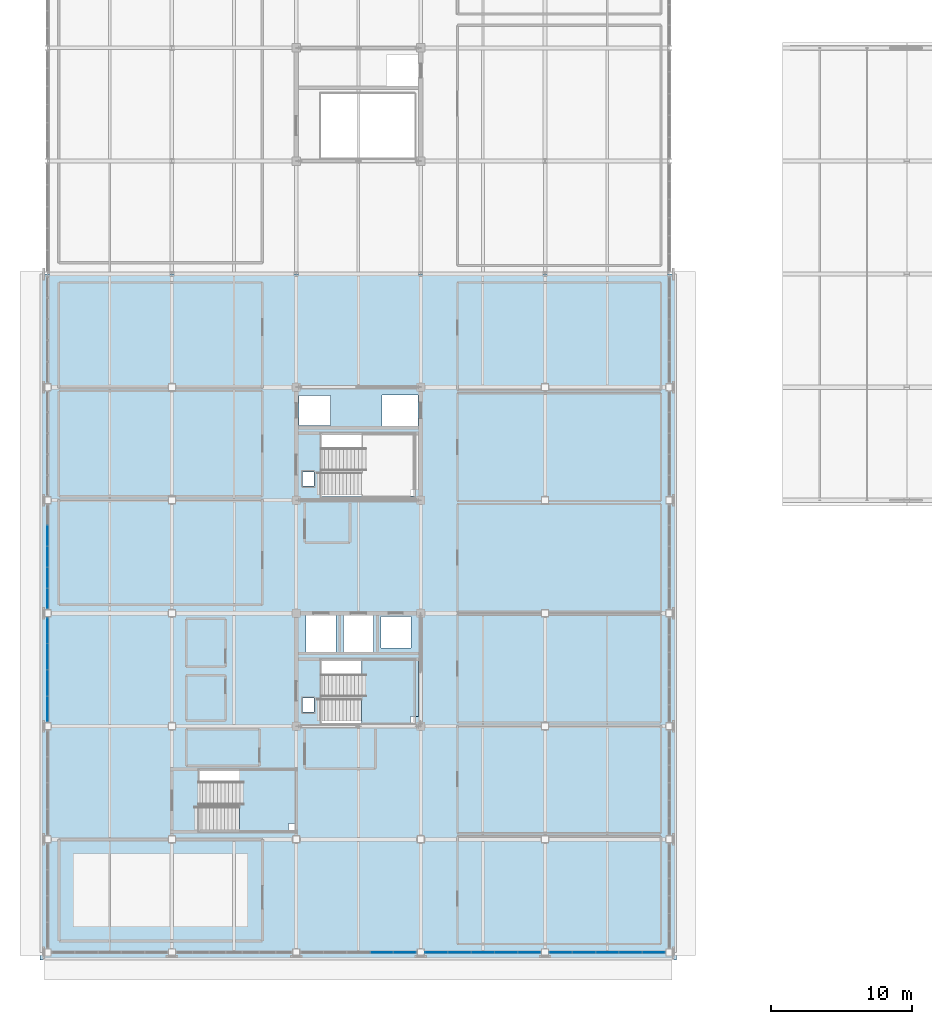
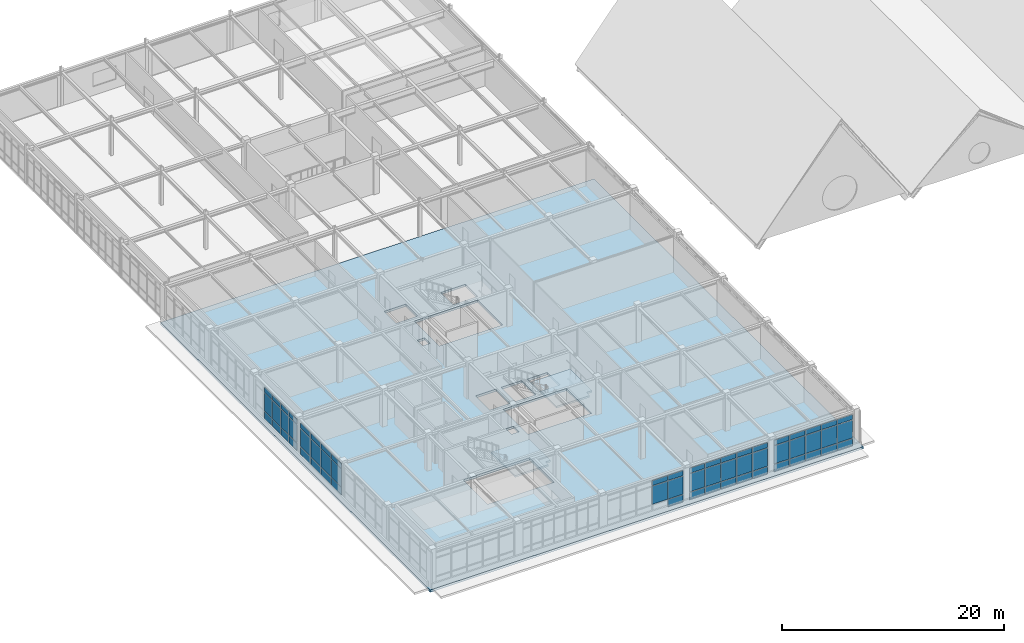
# One storey, part 27 of 64: 59 plates, 3 slabs, 7 elements without a shape of their own.
"""IFC4 building model written with IfcOpenShell, lengths in metres."""

from ifc_helpers import new_model, si_unit, direction, frame, origin, origin_2d, place, context, subcontext, project, spatial, polyline, rectangle, outline, extrude, material, layer, layer_set, type_object, element, aggregate, save


model = new_model("IFC4")

# Units and contexts
model_context = context("Model", 3, precision=1e-05, world=origin(), true_north=direction((0.0, 1.0)))
body_context = subcontext(model_context, "Body", "Model", "MODEL_VIEW")
ifc_project = project(units=[si_unit("LENGTHUNIT", "METRE"), si_unit("AREAUNIT", "SQUARE_METRE"), si_unit("VOLUMEUNIT", "CUBIC_METRE"), si_unit("PLANEANGLEUNIT", "RADIAN"), si_unit("MASSUNIT", "GRAM", prefix="KILO")], contexts=[model_context])

# Site, building, storey
site_placement = place(None, origin())
site = spatial("IfcSite", under=ifc_project, at=site_placement, CompositionType="ELEMENT")
building_placement = place(site_placement, origin())
building = spatial("IfcBuilding", under=site, at=building_placement, Name="Zhaolan Boulevard Law Courts", CompositionType="ELEMENT")
storey_placement = place(building_placement, frame((0.0, 0.0, 20.39990234375)))
storey = spatial("IfcBuildingStorey", under=building, at=storey_placement, Name="L04", CompositionType="ELEMENT", Elevation=20.39990234375)

# Curtain wall, plates
ifc_material_1 = material(Name="Thermally broken aluminium and low-E glazing", Category="aluminium")
curtain_wall_type_1 = type_object("IfcCurtainWallType", Name="CURTAIN WALL M19", PredefinedType="USERDEFINED", material=ifc_material_1)
curtain_wall_1_placement = place(storey_placement, origin())
curtain_wall_1 = element("IfcCurtainWall", 1, at=curtain_wall_1_placement, inside=storey, type_object=curtain_wall_type_1, Name="Curtain Wall CW-L04-187", ObjectType="CURTAIN WALL", PredefinedType="USERDEFINED")
ifc_material_2 = material(Name="Triple-silver low-E insulated glazing", Category="glass")
ifc_layer_1 = layer(ifc_material_2, 0.028076171875)
ifc_layer_set_1 = layer_set([ifc_layer_1])
plate_type = type_object("IfcPlateType", Name="CWPANEL LOW E28", PredefinedType="CURTAIN_PANEL", material=ifc_layer_set_1)
plate_1_placement = place(storey_placement, frame((23.649169921875, 30.0, 0.9326171875), z_axis=(0.0, 0.0, 1.0), x_axis=(1.0, 0.0, 0.0)))
plate_1 = element("IfcPlate", 2, at=plate_1_placement, type_object=plate_type, Name="CW-L04-187 panel 4.2", PredefinedType="CURTAIN_PANEL", context=body_context, shape_type="SweptSolid", body=[
    extrude(rectangle(XDim=1.584228515625, YDim=0.028076171875, at=origin_2d()), origin(), (0.0, 0.0, 1.0), 1.97802734375),
])
plate_2_placement = place(storey_placement, frame((23.649169921875, 30.0, 2.9755859375), z_axis=(0.0, 0.0, 1.0), x_axis=(1.0, 0.0, 0.0)))
plate_2 = element("IfcPlate", 3, at=plate_2_placement, type_object=plate_type, Name="CW-L04-187 panel 4.3", PredefinedType="CURTAIN_PANEL", context=body_context, shape_type="SweptSolid", body=[
    extrude(rectangle(XDim=1.584228515625, YDim=0.028076171875, at=origin_2d()), origin(), (0.0, 0.0, 1.0), 0.552490234375),
])
plate_3_placement = place(storey_placement, frame((25.2822265625, 30.0, 0.06494140625), z_axis=(0.0, 0.0, 1.0), x_axis=(1.0, 0.0, 0.0)))
plate_3 = element("IfcPlate", 4, at=plate_3_placement, type_object=plate_type, Name="CW-L04-187 panel 5.1", PredefinedType="CURTAIN_PANEL", context=body_context, shape_type="SweptSolid", body=[
    extrude(rectangle(XDim=1.5517578125, YDim=0.028076171875, at=origin_2d()), origin(), (0.0, 0.0, 1.0), 0.802490234375),
])
plate_4_placement = place(storey_placement, frame((25.2822265625, 30.0, 0.9326171875), z_axis=(0.0, 0.0, 1.0), x_axis=(1.0, 0.0, 0.0)))
plate_4 = element("IfcPlate", 5, at=plate_4_placement, type_object=plate_type, Name="CW-L04-187 panel 5.2", PredefinedType="CURTAIN_PANEL", context=body_context, shape_type="SweptSolid", body=[
    extrude(rectangle(XDim=1.5517578125, YDim=0.028076171875, at=origin_2d()), origin(), (0.0, 0.0, 1.0), 1.97802734375),
])
plate_5_placement = place(storey_placement, frame((25.2822265625, 30.0, 2.9755859375), z_axis=(0.0, 0.0, 1.0), x_axis=(1.0, 0.0, 0.0)))
plate_5 = element("IfcPlate", 6, at=plate_5_placement, type_object=plate_type, Name="CW-L04-187 panel 5.3", PredefinedType="CURTAIN_PANEL", context=body_context, shape_type="SweptSolid", body=[
    extrude(rectangle(XDim=1.5517578125, YDim=0.028076171875, at=origin_2d()), origin(), (0.0, 0.0, 1.0), 0.552490234375),
])
aggregate(curtain_wall_1, [plate_1, plate_2, plate_3, plate_4, plate_5])

ifc_material_3 = material(Name="Thermally broken aluminium and low-E glazing", Category="aluminium")
curtain_wall_type_2 = type_object("IfcCurtainWallType", Name="CURTAIN WALL M20", PredefinedType="USERDEFINED", material=ifc_material_3)
curtain_wall_2_placement = place(storey_placement, origin())
curtain_wall_2 = element("IfcCurtainWall", 7, at=curtain_wall_2_placement, inside=storey, type_object=curtain_wall_type_2, Name="Curtain Wall CW-L04-188", ObjectType="CURTAIN WALL", PredefinedType="USERDEFINED")
plate_6_placement = place(storey_placement, frame((27.517822265625, 30.0, 0.06494140625), z_axis=(0.0, 0.0, 1.0), x_axis=(1.0, 0.0, 0.0)))
plate_6 = element("IfcPlate", 8, at=plate_6_placement, type_object=plate_type, Name="CW-L04-188 panel 1.1", PredefinedType="CURTAIN_PANEL", context=body_context, shape_type="SweptSolid", body=[
    extrude(rectangle(XDim=1.5517578125, YDim=0.028076171875, at=origin_2d()), origin(), (0.0, 0.0, 1.0), 0.802490234375),
])
plate_7_placement = place(storey_placement, frame((27.517822265625, 30.0, 0.9326171875), z_axis=(0.0, 0.0, 1.0), x_axis=(1.0, 0.0, 0.0)))
plate_7 = element("IfcPlate", 9, at=plate_7_placement, type_object=plate_type, Name="CW-L04-188 panel 1.2", PredefinedType="CURTAIN_PANEL", context=body_context, shape_type="SweptSolid", body=[
    extrude(rectangle(XDim=1.5517578125, YDim=0.028076171875, at=origin_2d()), origin(), (0.0, 0.0, 1.0), 1.97802734375),
])
plate_8_placement = place(storey_placement, frame((27.517822265625, 30.0, 2.9755859375), z_axis=(0.0, 0.0, 1.0), x_axis=(1.0, 0.0, 0.0)))
plate_8 = element("IfcPlate", 10, at=plate_8_placement, type_object=plate_type, Name="CW-L04-188 panel 1.3", PredefinedType="CURTAIN_PANEL", context=body_context, shape_type="SweptSolid", body=[
    extrude(rectangle(XDim=1.5517578125, YDim=0.028076171875, at=origin_2d()), origin(), (0.0, 0.0, 1.0), 0.552490234375),
])
plate_9_placement = place(storey_placement, frame((29.15087890625, 30.0, 0.06494140625), z_axis=(0.0, 0.0, 1.0), x_axis=(1.0, 0.0, 0.0)))
plate_9 = element("IfcPlate", 11, at=plate_9_placement, type_object=plate_type, Name="CW-L04-188 panel 2.1", PredefinedType="CURTAIN_PANEL", context=body_context, shape_type="SweptSolid", body=[
    extrude(rectangle(XDim=1.584228515625, YDim=0.028076171875, at=origin_2d()), origin(), (0.0, 0.0, 1.0), 0.802490234375),
])
plate_10_placement = place(storey_placement, frame((29.15087890625, 30.0, 0.9326171875), z_axis=(0.0, 0.0, 1.0), x_axis=(1.0, 0.0, 0.0)))
plate_10 = element("IfcPlate", 12, at=plate_10_placement, type_object=plate_type, Name="CW-L04-188 panel 2.2", PredefinedType="CURTAIN_PANEL", context=body_context, shape_type="SweptSolid", body=[
    extrude(rectangle(XDim=1.584228515625, YDim=0.028076171875, at=origin_2d()), origin(), (0.0, 0.0, 1.0), 1.97802734375),
])
plate_11_placement = place(storey_placement, frame((29.15087890625, 30.0, 2.9755859375), z_axis=(0.0, 0.0, 1.0), x_axis=(1.0, 0.0, 0.0)))
plate_11 = element("IfcPlate", 13, at=plate_11_placement, type_object=plate_type, Name="CW-L04-188 panel 2.3", PredefinedType="CURTAIN_PANEL", context=body_context, shape_type="SweptSolid", body=[
    extrude(rectangle(XDim=1.584228515625, YDim=0.028076171875, at=origin_2d()), origin(), (0.0, 0.0, 1.0), 0.552490234375),
])
plate_12_placement = place(storey_placement, frame((30.800048828125, 30.0, 0.06494140625), z_axis=(0.0, 0.0, 1.0), x_axis=(1.0, 0.0, 0.0)))
plate_12 = element("IfcPlate", 14, at=plate_12_placement, type_object=plate_type, Name="CW-L04-188 panel 3.1", PredefinedType="CURTAIN_PANEL", context=body_context, shape_type="SweptSolid", body=[
    extrude(rectangle(XDim=1.584228515625, YDim=0.028076171875, at=origin_2d()), origin(), (0.0, 0.0, 1.0), 0.802490234375),
])
plate_13_placement = place(storey_placement, frame((30.800048828125, 30.0, 0.9326171875), z_axis=(0.0, 0.0, 1.0), x_axis=(1.0, 0.0, 0.0)))
plate_13 = element("IfcPlate", 15, at=plate_13_placement, type_object=plate_type, Name="CW-L04-188 panel 3.2", PredefinedType="CURTAIN_PANEL", context=body_context, shape_type="SweptSolid", body=[
    extrude(rectangle(XDim=1.584228515625, YDim=0.028076171875, at=origin_2d()), origin(), (0.0, 0.0, 1.0), 1.97802734375),
])
plate_14_placement = place(storey_placement, frame((30.800048828125, 30.0, 2.9755859375), z_axis=(0.0, 0.0, 1.0), x_axis=(1.0, 0.0, 0.0)))
plate_14 = element("IfcPlate", 16, at=plate_14_placement, type_object=plate_type, Name="CW-L04-188 panel 3.3", PredefinedType="CURTAIN_PANEL", context=body_context, shape_type="SweptSolid", body=[
    extrude(rectangle(XDim=1.584228515625, YDim=0.028076171875, at=origin_2d()), origin(), (0.0, 0.0, 1.0), 0.552490234375),
])
plate_15_placement = place(storey_placement, frame((32.44921875, 30.0, 0.06494140625), z_axis=(0.0, 0.0, 1.0), x_axis=(1.0, 0.0, 0.0)))
plate_15 = element("IfcPlate", 17, at=plate_15_placement, type_object=plate_type, Name="CW-L04-188 panel 4.1", PredefinedType="CURTAIN_PANEL", context=body_context, shape_type="SweptSolid", body=[
    extrude(rectangle(XDim=1.584228515625, YDim=0.028076171875, at=origin_2d()), origin(), (0.0, 0.0, 1.0), 0.802490234375),
])
plate_16_placement = place(storey_placement, frame((32.44921875, 30.0, 0.9326171875), z_axis=(0.0, 0.0, 1.0), x_axis=(1.0, 0.0, 0.0)))
plate_16 = element("IfcPlate", 18, at=plate_16_placement, type_object=plate_type, Name="CW-L04-188 panel 4.2", PredefinedType="CURTAIN_PANEL", context=body_context, shape_type="SweptSolid", body=[
    extrude(rectangle(XDim=1.584228515625, YDim=0.028076171875, at=origin_2d()), origin(), (0.0, 0.0, 1.0), 1.97802734375),
])
plate_17_placement = place(storey_placement, frame((32.44921875, 30.0, 2.9755859375), z_axis=(0.0, 0.0, 1.0), x_axis=(1.0, 0.0, 0.0)))
plate_17 = element("IfcPlate", 19, at=plate_17_placement, type_object=plate_type, Name="CW-L04-188 panel 4.3", PredefinedType="CURTAIN_PANEL", context=body_context, shape_type="SweptSolid", body=[
    extrude(rectangle(XDim=1.584228515625, YDim=0.028076171875, at=origin_2d()), origin(), (0.0, 0.0, 1.0), 0.552490234375),
])
plate_18_placement = place(storey_placement, frame((34.08203125, 30.0, 0.06494140625), z_axis=(0.0, 0.0, 1.0), x_axis=(1.0, 0.0, 0.0)))
plate_18 = element("IfcPlate", 20, at=plate_18_placement, type_object=plate_type, Name="CW-L04-188 panel 5.1", PredefinedType="CURTAIN_PANEL", context=body_context, shape_type="SweptSolid", body=[
    extrude(rectangle(XDim=1.5517578125, YDim=0.028076171875, at=origin_2d()), origin(), (0.0, 0.0, 1.0), 0.802490234375),
])
plate_19_placement = place(storey_placement, frame((34.08203125, 30.0, 0.9326171875), z_axis=(0.0, 0.0, 1.0), x_axis=(1.0, 0.0, 0.0)))
plate_19 = element("IfcPlate", 21, at=plate_19_placement, type_object=plate_type, Name="CW-L04-188 panel 5.2", PredefinedType="CURTAIN_PANEL", context=body_context, shape_type="SweptSolid", body=[
    extrude(rectangle(XDim=1.5517578125, YDim=0.028076171875, at=origin_2d()), origin(), (0.0, 0.0, 1.0), 1.97802734375),
])
plate_20_placement = place(storey_placement, frame((34.08203125, 30.0, 2.9755859375), z_axis=(0.0, 0.0, 1.0), x_axis=(1.0, 0.0, 0.0)))
plate_20 = element("IfcPlate", 22, at=plate_20_placement, type_object=plate_type, Name="CW-L04-188 panel 5.3", PredefinedType="CURTAIN_PANEL", context=body_context, shape_type="SweptSolid", body=[
    extrude(rectangle(XDim=1.5517578125, YDim=0.028076171875, at=origin_2d()), origin(), (0.0, 0.0, 1.0), 0.552490234375),
])
aggregate(curtain_wall_2, [plate_6, plate_7, plate_8, plate_9, plate_10, plate_11, plate_12, plate_13, plate_14, plate_15, plate_16, plate_17, plate_18, plate_19, plate_20])

ifc_material_4 = material(Name="Thermally broken aluminium and low-E glazing", Category="aluminium")
curtain_wall_type_3 = type_object("IfcCurtainWallType", Name="CURTAIN WALL M21", PredefinedType="USERDEFINED", material=ifc_material_4)
curtain_wall_3_placement = place(storey_placement, origin())
curtain_wall_3 = element("IfcCurtainWall", 23, at=curtain_wall_3_placement, inside=storey, type_object=curtain_wall_type_3, Name="Curtain Wall CW-L04-189", ObjectType="CURTAIN WALL", PredefinedType="USERDEFINED")
plate_21_placement = place(storey_placement, frame((36.31787109375, 30.0, 0.06494140625), z_axis=(0.0, 0.0, 1.0), x_axis=(1.0, 0.0, 0.0)))
plate_21 = element("IfcPlate", 24, at=plate_21_placement, type_object=plate_type, Name="CW-L04-189 panel 1.1", PredefinedType="CURTAIN_PANEL", context=body_context, shape_type="SweptSolid", body=[
    extrude(rectangle(XDim=1.5517578125, YDim=0.028076171875, at=origin_2d()), origin(), (0.0, 0.0, 1.0), 0.802490234375),
])
plate_22_placement = place(storey_placement, frame((36.31787109375, 30.0, 0.9326171875), z_axis=(0.0, 0.0, 1.0), x_axis=(1.0, 0.0, 0.0)))
plate_22 = element("IfcPlate", 25, at=plate_22_placement, type_object=plate_type, Name="CW-L04-189 panel 1.2", PredefinedType="CURTAIN_PANEL", context=body_context, shape_type="SweptSolid", body=[
    extrude(rectangle(XDim=1.5517578125, YDim=0.028076171875, at=origin_2d()), origin(), (0.0, 0.0, 1.0), 1.97802734375),
])
plate_23_placement = place(storey_placement, frame((36.31787109375, 30.0, 2.9755859375), z_axis=(0.0, 0.0, 1.0), x_axis=(1.0, 0.0, 0.0)))
plate_23 = element("IfcPlate", 26, at=plate_23_placement, type_object=plate_type, Name="CW-L04-189 panel 1.3", PredefinedType="CURTAIN_PANEL", context=body_context, shape_type="SweptSolid", body=[
    extrude(rectangle(XDim=1.5517578125, YDim=0.028076171875, at=origin_2d()), origin(), (0.0, 0.0, 1.0), 0.552490234375),
])
plate_24_placement = place(storey_placement, frame((37.95068359375, 30.0, 0.06494140625), z_axis=(0.0, 0.0, 1.0), x_axis=(1.0, 0.0, 0.0)))
plate_24 = element("IfcPlate", 27, at=plate_24_placement, type_object=plate_type, Name="CW-L04-189 panel 2.1", PredefinedType="CURTAIN_PANEL", context=body_context, shape_type="SweptSolid", body=[
    extrude(rectangle(XDim=1.584228515625, YDim=0.028076171875, at=origin_2d()), origin(), (0.0, 0.0, 1.0), 0.802490234375),
])
plate_25_placement = place(storey_placement, frame((37.95068359375, 30.0, 0.9326171875), z_axis=(0.0, 0.0, 1.0), x_axis=(1.0, 0.0, 0.0)))
plate_25 = element("IfcPlate", 28, at=plate_25_placement, type_object=plate_type, Name="CW-L04-189 panel 2.2", PredefinedType="CURTAIN_PANEL", context=body_context, shape_type="SweptSolid", body=[
    extrude(rectangle(XDim=1.584228515625, YDim=0.028076171875, at=origin_2d()), origin(), (0.0, 0.0, 1.0), 1.97802734375),
])
plate_26_placement = place(storey_placement, frame((37.95068359375, 30.0, 2.9755859375), z_axis=(0.0, 0.0, 1.0), x_axis=(1.0, 0.0, 0.0)))
plate_26 = element("IfcPlate", 29, at=plate_26_placement, type_object=plate_type, Name="CW-L04-189 panel 2.3", PredefinedType="CURTAIN_PANEL", context=body_context, shape_type="SweptSolid", body=[
    extrude(rectangle(XDim=1.584228515625, YDim=0.028076171875, at=origin_2d()), origin(), (0.0, 0.0, 1.0), 0.552490234375),
])
plate_27_placement = place(storey_placement, frame((39.60009765625, 30.0, 0.06494140625), z_axis=(0.0, 0.0, 1.0), x_axis=(1.0, 0.0, 0.0)))
plate_27 = element("IfcPlate", 30, at=plate_27_placement, type_object=plate_type, Name="CW-L04-189 panel 3.1", PredefinedType="CURTAIN_PANEL", context=body_context, shape_type="SweptSolid", body=[
    extrude(rectangle(XDim=1.584228515625, YDim=0.028076171875, at=origin_2d()), origin(), (0.0, 0.0, 1.0), 0.802490234375),
])
plate_28_placement = place(storey_placement, frame((39.60009765625, 30.0, 0.9326171875), z_axis=(0.0, 0.0, 1.0), x_axis=(1.0, 0.0, 0.0)))
plate_28 = element("IfcPlate", 31, at=plate_28_placement, type_object=plate_type, Name="CW-L04-189 panel 3.2", PredefinedType="CURTAIN_PANEL", context=body_context, shape_type="SweptSolid", body=[
    extrude(rectangle(XDim=1.584228515625, YDim=0.028076171875, at=origin_2d()), origin(), (0.0, 0.0, 1.0), 1.97802734375),
])
plate_29_placement = place(storey_placement, frame((39.60009765625, 30.0, 2.9755859375), z_axis=(0.0, 0.0, 1.0), x_axis=(1.0, 0.0, 0.0)))
plate_29 = element("IfcPlate", 32, at=plate_29_placement, type_object=plate_type, Name="CW-L04-189 panel 3.3", PredefinedType="CURTAIN_PANEL", context=body_context, shape_type="SweptSolid", body=[
    extrude(rectangle(XDim=1.584228515625, YDim=0.028076171875, at=origin_2d()), origin(), (0.0, 0.0, 1.0), 0.552490234375),
])
plate_30_placement = place(storey_placement, frame((41.249267578125, 30.0, 0.06494140625), z_axis=(0.0, 0.0, 1.0), x_axis=(1.0, 0.0, 0.0)))
plate_30 = element("IfcPlate", 33, at=plate_30_placement, type_object=plate_type, Name="CW-L04-189 panel 4.1", PredefinedType="CURTAIN_PANEL", context=body_context, shape_type="SweptSolid", body=[
    extrude(rectangle(XDim=1.584228515625, YDim=0.028076171875, at=origin_2d()), origin(), (0.0, 0.0, 1.0), 0.802490234375),
])
plate_31_placement = place(storey_placement, frame((41.249267578125, 30.0, 0.9326171875), z_axis=(0.0, 0.0, 1.0), x_axis=(1.0, 0.0, 0.0)))
plate_31 = element("IfcPlate", 34, at=plate_31_placement, type_object=plate_type, Name="CW-L04-189 panel 4.2", PredefinedType="CURTAIN_PANEL", context=body_context, shape_type="SweptSolid", body=[
    extrude(rectangle(XDim=1.584228515625, YDim=0.028076171875, at=origin_2d()), origin(), (0.0, 0.0, 1.0), 1.97802734375),
])
plate_32_placement = place(storey_placement, frame((41.249267578125, 30.0, 2.9755859375), z_axis=(0.0, 0.0, 1.0), x_axis=(1.0, 0.0, 0.0)))
plate_32 = element("IfcPlate", 35, at=plate_32_placement, type_object=plate_type, Name="CW-L04-189 panel 4.3", PredefinedType="CURTAIN_PANEL", context=body_context, shape_type="SweptSolid", body=[
    extrude(rectangle(XDim=1.584228515625, YDim=0.028076171875, at=origin_2d()), origin(), (0.0, 0.0, 1.0), 0.552490234375),
])
plate_33_placement = place(storey_placement, frame((42.882080078125, 30.0, 0.06494140625), z_axis=(0.0, 0.0, 1.0), x_axis=(1.0, 0.0, 0.0)))
plate_33 = element("IfcPlate", 36, at=plate_33_placement, type_object=plate_type, Name="CW-L04-189 panel 5.1", PredefinedType="CURTAIN_PANEL", context=body_context, shape_type="SweptSolid", body=[
    extrude(rectangle(XDim=1.5517578125, YDim=0.028076171875, at=origin_2d()), origin(), (0.0, 0.0, 1.0), 0.802490234375),
])
plate_34_placement = place(storey_placement, frame((42.882080078125, 30.0, 0.9326171875), z_axis=(0.0, 0.0, 1.0), x_axis=(1.0, 0.0, 0.0)))
plate_34 = element("IfcPlate", 37, at=plate_34_placement, type_object=plate_type, Name="CW-L04-189 panel 5.2", PredefinedType="CURTAIN_PANEL", context=body_context, shape_type="SweptSolid", body=[
    extrude(rectangle(XDim=1.5517578125, YDim=0.028076171875, at=origin_2d()), origin(), (0.0, 0.0, 1.0), 1.97802734375),
])
plate_35_placement = place(storey_placement, frame((42.882080078125, 30.0, 2.9755859375), z_axis=(0.0, 0.0, 1.0), x_axis=(1.0, 0.0, 0.0)))
plate_35 = element("IfcPlate", 38, at=plate_35_placement, type_object=plate_type, Name="CW-L04-189 panel 5.3", PredefinedType="CURTAIN_PANEL", context=body_context, shape_type="SweptSolid", body=[
    extrude(rectangle(XDim=1.5517578125, YDim=0.028076171875, at=origin_2d()), origin(), (0.0, 0.0, 1.0), 0.552490234375),
])
aggregate(curtain_wall_3, [plate_21, plate_22, plate_23, plate_24, plate_25, plate_26, plate_27, plate_28, plate_29, plate_30, plate_31, plate_32, plate_33, plate_34, plate_35])

ifc_material_5 = material(Name="Thermally broken aluminium and low-E glazing", Category="aluminium")
curtain_wall_type_4 = type_object("IfcCurtainWallType", Name="CURTAIN WALL M24", PredefinedType="USERDEFINED", material=ifc_material_5)
curtain_wall_4_placement = place(storey_placement, origin())
curtain_wall_4 = element("IfcCurtainWall", 39, at=curtain_wall_4_placement, inside=storey, type_object=curtain_wall_type_4, Name="Curtain Wall CW-L04-192", ObjectType="CURTAIN WALL", PredefinedType="USERDEFINED")
plate_36_placement = place(storey_placement, frame((0.0, 52.77587890625, 0.06494140625), z_axis=(0.0, 0.0, 1.0), x_axis=(0.0, -1.0, 0.0)))
plate_36 = element("IfcPlate", 40, at=plate_36_placement, type_object=plate_type, Name="CW-L04-192 panel 1.1", PredefinedType="CURTAIN_PANEL", context=body_context, shape_type="SweptSolid", body=[
    extrude(rectangle(XDim=1.763916015625, YDim=0.028076171875, at=origin_2d()), origin(), (0.0, 0.0, 1.0), 0.802490234375),
])
plate_37_placement = place(storey_placement, frame((0.0, 52.77587890625, 0.9326171875), z_axis=(0.0, 0.0, 1.0), x_axis=(0.0, -1.0, 0.0)))
plate_37 = element("IfcPlate", 41, at=plate_37_placement, type_object=plate_type, Name="CW-L04-192 panel 1.2", PredefinedType="CURTAIN_PANEL", context=body_context, shape_type="SweptSolid", body=[
    extrude(rectangle(XDim=1.763916015625, YDim=0.028076171875, at=origin_2d()), origin(), (0.0, 0.0, 1.0), 1.97802734375),
])
plate_38_placement = place(storey_placement, frame((0.0, 52.77587890625, 2.9755859375), z_axis=(0.0, 0.0, 1.0), x_axis=(0.0, -1.0, 0.0)))
plate_38 = element("IfcPlate", 42, at=plate_38_placement, type_object=plate_type, Name="CW-L04-192 panel 1.3", PredefinedType="CURTAIN_PANEL", context=body_context, shape_type="SweptSolid", body=[
    extrude(rectangle(XDim=1.763916015625, YDim=0.028076171875, at=origin_2d()), origin(), (0.0, 0.0, 1.0), 0.552490234375),
])
plate_39_placement = place(storey_placement, frame((0.0, 50.9306640625, 0.06494140625), z_axis=(0.0, 0.0, 1.0), x_axis=(0.0, -1.0, 0.0)))
plate_39 = element("IfcPlate", 43, at=plate_39_placement, type_object=plate_type, Name="CW-L04-192 panel 2.1", PredefinedType="CURTAIN_PANEL", context=body_context, shape_type="SweptSolid", body=[
    extrude(rectangle(XDim=1.79638671875, YDim=0.028076171875, at=origin_2d()), origin(), (0.0, 0.0, 1.0), 0.802490234375),
])
plate_40_placement = place(storey_placement, frame((0.0, 50.9306640625, 0.9326171875), z_axis=(0.0, 0.0, 1.0), x_axis=(0.0, -1.0, 0.0)))
plate_40 = element("IfcPlate", 44, at=plate_40_placement, type_object=plate_type, Name="CW-L04-192 panel 2.2", PredefinedType="CURTAIN_PANEL", context=body_context, shape_type="SweptSolid", body=[
    extrude(rectangle(XDim=1.79638671875, YDim=0.028076171875, at=origin_2d()), origin(), (0.0, 0.0, 1.0), 1.97802734375),
])
plate_41_placement = place(storey_placement, frame((0.0, 50.9306640625, 2.9755859375), z_axis=(0.0, 0.0, 1.0), x_axis=(0.0, -1.0, 0.0)))
plate_41 = element("IfcPlate", 45, at=plate_41_placement, type_object=plate_type, Name="CW-L04-192 panel 2.3", PredefinedType="CURTAIN_PANEL", context=body_context, shape_type="SweptSolid", body=[
    extrude(rectangle(XDim=1.79638671875, YDim=0.028076171875, at=origin_2d()), origin(), (0.0, 0.0, 1.0), 0.552490234375),
])
plate_42_placement = place(storey_placement, frame((0.0, 49.0693359375, 0.06494140625), z_axis=(0.0, 0.0, 1.0), x_axis=(0.0, -1.0, 0.0)))
plate_42 = element("IfcPlate", 46, at=plate_42_placement, type_object=plate_type, Name="CW-L04-192 panel 3.1", PredefinedType="CURTAIN_PANEL", context=body_context, shape_type="SweptSolid", body=[
    extrude(rectangle(XDim=1.79638671875, YDim=0.028076171875, at=origin_2d()), origin(), (0.0, 0.0, 1.0), 0.802490234375),
])
plate_43_placement = place(storey_placement, frame((0.0, 49.0693359375, 0.9326171875), z_axis=(0.0, 0.0, 1.0), x_axis=(0.0, -1.0, 0.0)))
plate_43 = element("IfcPlate", 47, at=plate_43_placement, type_object=plate_type, Name="CW-L04-192 panel 3.2", PredefinedType="CURTAIN_PANEL", context=body_context, shape_type="SweptSolid", body=[
    extrude(rectangle(XDim=1.79638671875, YDim=0.028076171875, at=origin_2d()), origin(), (0.0, 0.0, 1.0), 1.97802734375),
])
plate_44_placement = place(storey_placement, frame((0.0, 49.0693359375, 2.9755859375), z_axis=(0.0, 0.0, 1.0), x_axis=(0.0, -1.0, 0.0)))
plate_44 = element("IfcPlate", 48, at=plate_44_placement, type_object=plate_type, Name="CW-L04-192 panel 3.3", PredefinedType="CURTAIN_PANEL", context=body_context, shape_type="SweptSolid", body=[
    extrude(rectangle(XDim=1.79638671875, YDim=0.028076171875, at=origin_2d()), origin(), (0.0, 0.0, 1.0), 0.552490234375),
])
plate_45_placement = place(storey_placement, frame((0.0, 47.22412109375, 0.06494140625), z_axis=(0.0, 0.0, 1.0), x_axis=(0.0, -1.0, 0.0)))
plate_45 = element("IfcPlate", 49, at=plate_45_placement, type_object=plate_type, Name="CW-L04-192 panel 4.1", PredefinedType="CURTAIN_PANEL", context=body_context, shape_type="SweptSolid", body=[
    extrude(rectangle(XDim=1.763916015625, YDim=0.028076171875, at=origin_2d()), origin(), (0.0, 0.0, 1.0), 0.802490234375),
])
plate_46_placement = place(storey_placement, frame((0.0, 47.22412109375, 0.9326171875), z_axis=(0.0, 0.0, 1.0), x_axis=(0.0, -1.0, 0.0)))
plate_46 = element("IfcPlate", 50, at=plate_46_placement, type_object=plate_type, Name="CW-L04-192 panel 4.2", PredefinedType="CURTAIN_PANEL", context=body_context, shape_type="SweptSolid", body=[
    extrude(rectangle(XDim=1.763916015625, YDim=0.028076171875, at=origin_2d()), origin(), (0.0, 0.0, 1.0), 1.97802734375),
])
plate_47_placement = place(storey_placement, frame((0.0, 47.22412109375, 2.9755859375), z_axis=(0.0, 0.0, 1.0), x_axis=(0.0, -1.0, 0.0)))
plate_47 = element("IfcPlate", 51, at=plate_47_placement, type_object=plate_type, Name="CW-L04-192 panel 4.3", PredefinedType="CURTAIN_PANEL", context=body_context, shape_type="SweptSolid", body=[
    extrude(rectangle(XDim=1.763916015625, YDim=0.028076171875, at=origin_2d()), origin(), (0.0, 0.0, 1.0), 0.552490234375),
])
aggregate(curtain_wall_4, [plate_36, plate_37, plate_38, plate_39, plate_40, plate_41, plate_42, plate_43, plate_44, plate_45, plate_46, plate_47])

ifc_material_6 = material(Name="Thermally broken aluminium and low-E glazing", Category="aluminium")
curtain_wall_type_5 = type_object("IfcCurtainWallType", Name="CURTAIN WALL M1", PredefinedType="USERDEFINED", material=ifc_material_6)
curtain_wall_5_placement = place(storey_placement, origin())
curtain_wall_5 = element("IfcCurtainWall", 52, at=curtain_wall_5_placement, inside=storey, type_object=curtain_wall_type_5, Name="Curtain Wall CW-L04-193", ObjectType="CURTAIN WALL", PredefinedType="USERDEFINED")
plate_48_placement = place(storey_placement, frame((0.0, 59.4892578125, 0.06494140625), z_axis=(0.0, 0.0, 1.0), x_axis=(0.0, -1.0, 0.0)))
plate_48 = element("IfcPlate", 53, at=plate_48_placement, type_object=plate_type, Name="CW-L04-193 panel 2.1", PredefinedType="CURTAIN_PANEL", context=body_context, shape_type="SweptSolid", body=[
    extrude(rectangle(XDim=1.42431640625, YDim=0.028076171875, at=origin_2d()), origin(), (0.0, 0.0, 1.0), 0.802490234375),
])
plate_49_placement = place(storey_placement, frame((0.0, 59.4892578125, 0.9326171875), z_axis=(0.0, 0.0, 1.0), x_axis=(0.0, -1.0, 0.0)))
plate_49 = element("IfcPlate", 54, at=plate_49_placement, type_object=plate_type, Name="CW-L04-193 panel 2.2", PredefinedType="CURTAIN_PANEL", context=body_context, shape_type="SweptSolid", body=[
    extrude(rectangle(XDim=1.42431640625, YDim=0.028076171875, at=origin_2d()), origin(), (0.0, 0.0, 1.0), 1.97802734375),
])
plate_50_placement = place(storey_placement, frame((0.0, 59.4892578125, 2.9755859375), z_axis=(0.0, 0.0, 1.0), x_axis=(0.0, -1.0, 0.0)))
plate_50 = element("IfcPlate", 55, at=plate_50_placement, type_object=plate_type, Name="CW-L04-193 panel 2.3", PredefinedType="CURTAIN_PANEL", context=body_context, shape_type="SweptSolid", body=[
    extrude(rectangle(XDim=1.42431640625, YDim=0.028076171875, at=origin_2d()), origin(), (0.0, 0.0, 1.0), 0.552490234375),
])
plate_51_placement = place(storey_placement, frame((0.0, 58.0, 0.06494140625), z_axis=(0.0, 0.0, 1.0), x_axis=(0.0, -1.0, 0.0)))
plate_51 = element("IfcPlate", 56, at=plate_51_placement, type_object=plate_type, Name="CW-L04-193 panel 3.1", PredefinedType="CURTAIN_PANEL", context=body_context, shape_type="SweptSolid", body=[
    extrude(rectangle(XDim=1.42431640625, YDim=0.028076171875, at=origin_2d()), origin(), (0.0, 0.0, 1.0), 0.802490234375),
])
plate_52_placement = place(storey_placement, frame((0.0, 58.0, 0.9326171875), z_axis=(0.0, 0.0, 1.0), x_axis=(0.0, -1.0, 0.0)))
plate_52 = element("IfcPlate", 57, at=plate_52_placement, type_object=plate_type, Name="CW-L04-193 panel 3.2", PredefinedType="CURTAIN_PANEL", context=body_context, shape_type="SweptSolid", body=[
    extrude(rectangle(XDim=1.42431640625, YDim=0.028076171875, at=origin_2d()), origin(), (0.0, 0.0, 1.0), 1.97802734375),
])
plate_53_placement = place(storey_placement, frame((0.0, 58.0, 2.9755859375), z_axis=(0.0, 0.0, 1.0), x_axis=(0.0, -1.0, 0.0)))
plate_53 = element("IfcPlate", 58, at=plate_53_placement, type_object=plate_type, Name="CW-L04-193 panel 3.3", PredefinedType="CURTAIN_PANEL", context=body_context, shape_type="SweptSolid", body=[
    extrude(rectangle(XDim=1.42431640625, YDim=0.028076171875, at=origin_2d()), origin(), (0.0, 0.0, 1.0), 0.552490234375),
])
plate_54_placement = place(storey_placement, frame((0.0, 56.5107421875, 0.06494140625), z_axis=(0.0, 0.0, 1.0), x_axis=(0.0, -1.0, 0.0)))
plate_54 = element("IfcPlate", 59, at=plate_54_placement, type_object=plate_type, Name="CW-L04-193 panel 4.1", PredefinedType="CURTAIN_PANEL", context=body_context, shape_type="SweptSolid", body=[
    extrude(rectangle(XDim=1.42431640625, YDim=0.028076171875, at=origin_2d()), origin(), (0.0, 0.0, 1.0), 0.802490234375),
])
plate_55_placement = place(storey_placement, frame((0.0, 56.5107421875, 0.9326171875), z_axis=(0.0, 0.0, 1.0), x_axis=(0.0, -1.0, 0.0)))
plate_55 = element("IfcPlate", 60, at=plate_55_placement, type_object=plate_type, Name="CW-L04-193 panel 4.2", PredefinedType="CURTAIN_PANEL", context=body_context, shape_type="SweptSolid", body=[
    extrude(rectangle(XDim=1.42431640625, YDim=0.028076171875, at=origin_2d()), origin(), (0.0, 0.0, 1.0), 1.97802734375),
])
plate_56_placement = place(storey_placement, frame((0.0, 56.5107421875, 2.9755859375), z_axis=(0.0, 0.0, 1.0), x_axis=(0.0, -1.0, 0.0)))
plate_56 = element("IfcPlate", 61, at=plate_56_placement, type_object=plate_type, Name="CW-L04-193 panel 4.3", PredefinedType="CURTAIN_PANEL", context=body_context, shape_type="SweptSolid", body=[
    extrude(rectangle(XDim=1.42431640625, YDim=0.028076171875, at=origin_2d()), origin(), (0.0, 0.0, 1.0), 0.552490234375),
])
plate_57_placement = place(storey_placement, frame((0.0, 55.037841796875, 0.06494140625), z_axis=(0.0, 0.0, 1.0), x_axis=(0.0, -1.0, 0.0)))
plate_57 = element("IfcPlate", 62, at=plate_57_placement, type_object=plate_type, Name="CW-L04-193 panel 5.1", PredefinedType="CURTAIN_PANEL", context=body_context, shape_type="SweptSolid", body=[
    extrude(rectangle(XDim=1.3916015625, YDim=0.028076171875, at=origin_2d()), origin(), (0.0, 0.0, 1.0), 0.802490234375),
])
plate_58_placement = place(storey_placement, frame((0.0, 55.037841796875, 0.9326171875), z_axis=(0.0, 0.0, 1.0), x_axis=(0.0, -1.0, 0.0)))
plate_58 = element("IfcPlate", 63, at=plate_58_placement, type_object=plate_type, Name="CW-L04-193 panel 5.2", PredefinedType="CURTAIN_PANEL", context=body_context, shape_type="SweptSolid", body=[
    extrude(rectangle(XDim=1.3916015625, YDim=0.028076171875, at=origin_2d()), origin(), (0.0, 0.0, 1.0), 1.97802734375),
])
plate_59_placement = place(storey_placement, frame((0.0, 55.037841796875, 2.9755859375), z_axis=(0.0, 0.0, 1.0), x_axis=(0.0, -1.0, 0.0)))
plate_59 = element("IfcPlate", 64, at=plate_59_placement, type_object=plate_type, Name="CW-L04-193 panel 5.3", PredefinedType="CURTAIN_PANEL", context=body_context, shape_type="SweptSolid", body=[
    extrude(rectangle(XDim=1.3916015625, YDim=0.028076171875, at=origin_2d()), origin(), (0.0, 0.0, 1.0), 0.552490234375),
])
aggregate(curtain_wall_5, [plate_48, plate_49, plate_50, plate_51, plate_52, plate_53, plate_54, plate_55, plate_56, plate_57, plate_58, plate_59])

# Slab
ifc_material_7 = material(Name="Concrete C40", Category="concrete")
ifc_layer_2 = layer(ifc_material_7, 0.25)
ifc_layer_set_2 = layer_set([ifc_layer_2])
slab_type_1 = type_object("IfcSlabType", Name="FLOOR SLAB 250", PredefinedType="FLOOR", material=ifc_layer_set_2)
slab_1_placement = place(storey_placement, frame((0.0, 0.0, -0.25)))
element("IfcSlab", 65, at=slab_1_placement, inside=storey, type_object=slab_type_1, Name="Slab SLB-L04-V5", PredefinedType="FLOOR", context=body_context, shape_type="SweptSolid", body=[
    extrude(outline(polyline([(-0.52001953125, 29.47998046875), (44.52001953125, 29.47998046875), (44.52001953125, 78.0), (-0.52001953125, 78.0), (-0.52001953125, 29.47998046875)]), holes=[polyline([(18.27490234375, 51.27490234375), (20.425048828125, 51.27490234375), (20.425048828125, 53.824951171875), (18.27490234375, 53.824951171875), (18.27490234375, 51.27490234375)]), polyline([(20.925048828125, 51.27490234375), (23.074951171875, 51.27490234375), (23.074951171875, 53.824951171875), (20.925048828125, 53.824951171875), (20.925048828125, 51.27490234375)]), polyline([(23.675048828125, 67.25), (26.22509765625, 67.25), (26.22509765625, 69.449951171875), (23.675048828125, 69.449951171875), (23.675048828125, 67.25)]), polyline([(23.60009765625, 51.52490234375), (25.699951171875, 51.52490234375), (25.699951171875, 53.77490234375), (23.60009765625, 53.77490234375), (23.60009765625, 51.52490234375)]), polyline([(17.77490234375, 67.27490234375), (20.02490234375, 67.27490234375), (20.02490234375, 69.425048828125), (17.77490234375, 69.425048828125), (17.77490234375, 67.27490234375)]), polyline([(19.35009765625, 46.25), (25.949951171875, 46.25), (25.949951171875, 50.75), (19.35009765625, 50.75), (19.35009765625, 46.25)]), polyline([(19.35009765625, 62.25), (25.949951171875, 62.25), (25.949951171875, 66.75), (19.35009765625, 66.75), (19.35009765625, 62.25)]), polyline([(10.699951171875, 38.550048828125), (17.60009765625, 38.550048828125), (17.60009765625, 42.949951171875), (10.699951171875, 42.949951171875), (10.699951171875, 38.550048828125)]), polyline([(18.050048828125, 47.0), (18.85009765625, 47.0), (18.85009765625, 48.0), (18.050048828125, 48.0), (18.050048828125, 47.0)]), polyline([(18.050048828125, 63.0), (18.85009765625, 63.0), (18.85009765625, 64.0), (18.050048828125, 64.0), (18.050048828125, 63.0)])]), origin(), (0.0, 0.0, 1.0), 0.25),
])

# Stair, slab
ifc_material_8 = material(Name="Concrete C40", Category="concrete")
stair_type_1 = type_object("IfcStairType", Name="HALF TURN STAIR 42 B", PredefinedType="HALF_TURN_STAIR", material=ifc_material_8)
stair_1_placement = place(storey_placement, origin())
stair_1 = element("IfcStair", 66, at=stair_1_placement, inside=storey, type_object=stair_type_1, Name="Stair ST01-L04", PredefinedType="HALF_TURN_STAIR")
ifc_material_9 = material(Name="Concrete C40", Category="concrete")
ifc_layer_3 = layer(ifc_material_9, 0.199951171875)
ifc_layer_set_3 = layer_set([ifc_layer_3])
slab_type_2 = type_object("IfcSlabType", Name="STAIR LANDING 200", PredefinedType="LANDING", material=ifc_layer_set_3)
slab_2_placement = place(storey_placement, frame((0.0, 0.0, 1.900146484375)))
slab_2 = element("IfcSlab", 67, at=slab_2_placement, type_object=slab_type_2, Name="Stair Landing ST01-L04-L1", PredefinedType="LANDING", context=body_context, shape_type="SweptSolid", body=[
    extrude(outline(polyline([(22.22998046875, 46.14501953125), (25.695068359375, 46.14501953125), (25.695068359375, 46.705078125), (26.2548828125, 46.705078125), (26.2548828125, 50.639892578125), (22.22998046875, 50.639892578125), (22.22998046875, 46.14501953125)])), origin(), (0.0, 0.0, 1.0), 0.199951171875),
])
aggregate(stair_1, [slab_2])

ifc_material_10 = material(Name="Concrete C40", Category="concrete")
stair_type_2 = type_object("IfcStairType", Name="HALF TURN STAIR 42 A", PredefinedType="HALF_TURN_STAIR", material=ifc_material_10)
stair_2_placement = place(storey_placement, origin())
stair_2 = element("IfcStair", 68, at=stair_2_placement, inside=storey, type_object=stair_type_2, Name="Stair ST03-L04", PredefinedType="HALF_TURN_STAIR")
slab_3_placement = place(storey_placement, frame((0.0, 0.0, 1.900146484375)))
slab_3 = element("IfcSlab", 69, at=slab_3_placement, type_object=slab_type_2, Name="Stair Landing ST03-L04-L1", PredefinedType="LANDING", context=body_context, shape_type="SweptSolid", body=[
    extrude(outline(polyline([(13.580078125, 38.60009765625), (17.0400390625, 38.60009765625), (17.0400390625, 39.110107421875), (17.550048828125, 39.110107421875), (17.550048828125, 42.89990234375), (13.580078125, 42.89990234375), (13.580078125, 38.60009765625)])), origin(), (0.0, 0.0, 1.0), 0.199951171875),
])
aggregate(stair_2, [slab_3])

save(model, "model.ifc")
